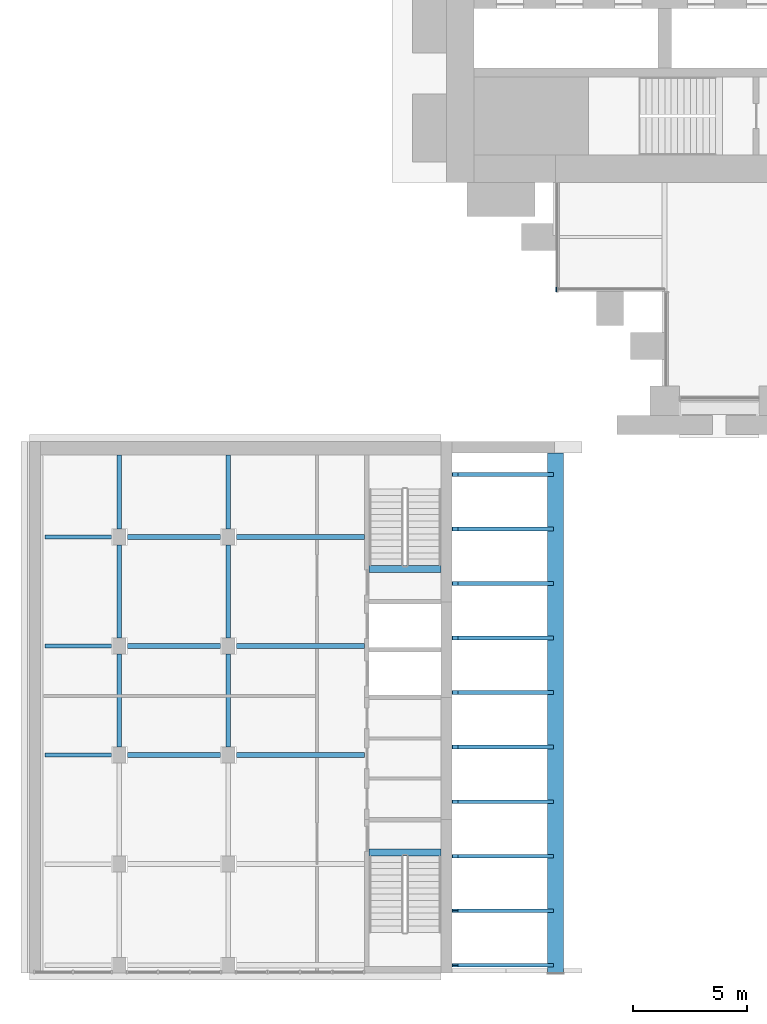
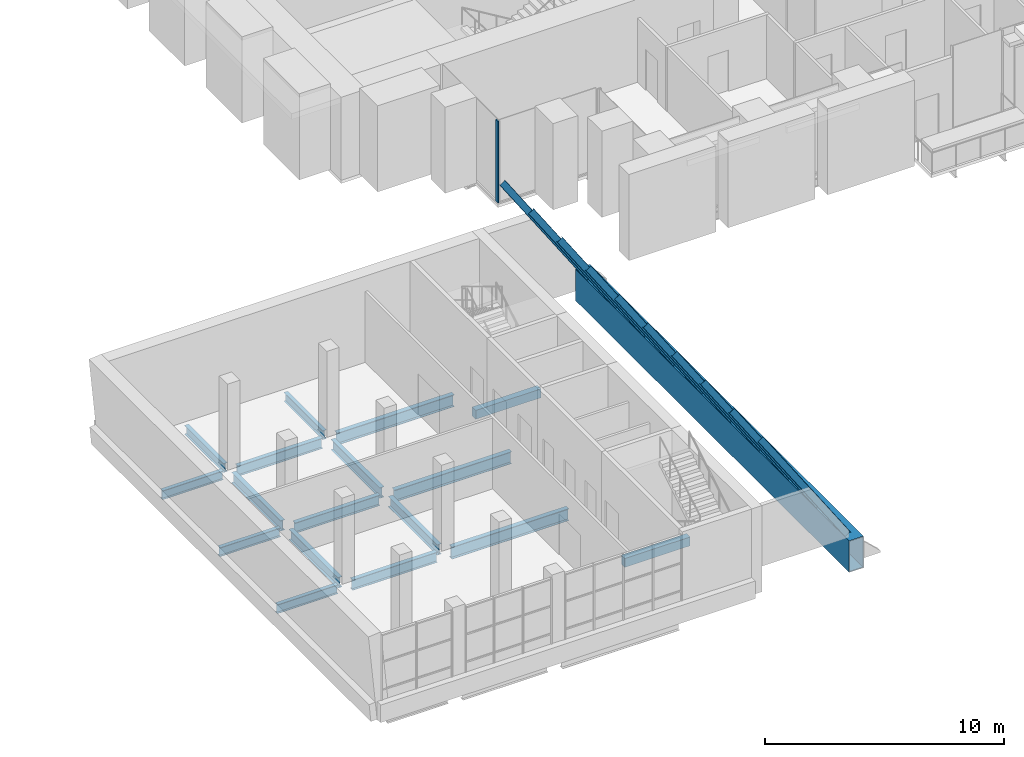
# One storey, part 4 of 32: 28 beams, 1 member, 1 element without a shape of its own.
"""IFC4 building model written with IfcOpenShell, lengths in metres."""

from ifc_helpers import new_model, si_unit, direction, frame, origin, origin_2d, place, context, subcontext, project, spatial, rectangle, hollow_rectangle, i_section, extrude, material, material_profile, profile_set, type_object, element, aggregate, save


model = new_model("IFC4")

# Units and contexts
model_context = context("Model", 3, precision=1e-05, world=origin(), true_north=direction((0.0, 1.0)))
body_context = subcontext(model_context, "Body", "Model", "MODEL_VIEW")
ifc_project = project(units=[si_unit("LENGTHUNIT", "METRE"), si_unit("AREAUNIT", "SQUARE_METRE"), si_unit("VOLUMEUNIT", "CUBIC_METRE"), si_unit("PLANEANGLEUNIT", "RADIAN"), si_unit("MASSUNIT", "GRAM", prefix="KILO")], contexts=[model_context])

# Site, building, storey
site_placement = place(None, origin())
site = spatial("IfcSite", under=ifc_project, at=site_placement, CompositionType="ELEMENT")
building_placement = place(site_placement, origin())
building = spatial("IfcBuilding", under=site, at=building_placement, Name="Baori Bourse Tower", CompositionType="ELEMENT")
storey_placement = place(building_placement, frame((0.0, 0.0, 21.39990234375)))
storey = spatial("IfcBuildingStorey", under=building, at=storey_placement, Name="L03", CompositionType="ELEMENT", Elevation=21.39990234375)

# Curtain wall, member
ifc_material_1 = material(Name="Pale anodised aluminium", Category="aluminium")
curtain_wall_type = type_object("IfcCurtainWallType", Name="CW2 Curtain wall", PredefinedType="NOTDEFINED", material=ifc_material_1)
curtain_wall_placement = place(storey_placement, origin())
curtain_wall = element("IfcCurtainWall", 1, at=curtain_wall_placement, inside=storey, type_object=curtain_wall_type, Name="Curtain wall CW2 L03 11", PredefinedType="NOTDEFINED")
ifc_material_2 = material(Name="Pale anodised aluminium", Category="aluminium")
ifc_material_profile_1 = material_profile(ifc_material_2, rectangle(XDim=0.179931640625, YDim=0.054931640625, at=origin_2d()), Name="Mullion 55x180")
ifc_profile_set_1 = profile_set([ifc_material_profile_1], Name="Pale anodised aluminium")
member_type = type_object("IfcMemberType", Name="CW2 Curtain wall mullion", PredefinedType="MULLION", material=ifc_profile_set_1)
member_placement = place(storey_placement, frame((4.827392578125, 4.889892578125, 0.070068359375), z_axis=(0.0, 0.0, 1.0), x_axis=(0.0, 1.0, 0.0)))
member = element("IfcMember", 2, at=member_placement, type_object=member_type, Name="Curtain wall CW2 mullion", PredefinedType="MULLION", context=body_context, shape_type="SweptSolid", body=[
    extrude(rectangle(XDim=0.179931640625, YDim=0.054931640625, at=origin_2d()), origin(), (0.0, 0.0, 1.0), 4.169921875),
])
aggregate(curtain_wall, [member])

# Beams
ifc_material_3 = material(Name="Steel A572 Gr 50", Category="steel")
ifc_material_profile_2 = material_profile(ifc_material_3, hollow_rectangle(XDim=0.699951171875, YDim=1.60009765625, WallThickness=0.030029296875, at=origin_2d()), Name="BOX 1600x700x30")
ifc_profile_set_2 = profile_set([ifc_material_profile_2], Name="Steel A572 Gr 50")
beam_type_1 = type_object("IfcBeamType", Name="Hall box girder 1600x700", PredefinedType="BEAM", material=ifc_profile_set_2)
beam_1_placement = place(storey_placement, frame((4.800048828125, -25.199951171875, 0.326904296875), z_axis=(0.0, 1.0, 0.0), x_axis=(-1.0, 0.0, 0.0)))
element("IfcBeam", 3, at=beam_1_placement, inside=storey, type_object=beam_type_1, Name="wing/L03/girder/001", PredefinedType="BEAM", context=body_context, shape_type="SweptSolid", body=[
    extrude(hollow_rectangle(XDim=0.699951171875, YDim=1.60009765625, WallThickness=0.030029296875, at=origin_2d()), origin(), (0.0, 0.0, 1.0), 22.89990234375),
])
ifc_material_4 = material(Name="Concrete f'c 40 MPa", Category="concrete")
ifc_material_profile_3 = material_profile(ifc_material_4, rectangle(XDim=0.300048828125, YDim=0.449951171875, at=origin_2d()), Name="Stair trimmer beam 300x450")
ifc_profile_set_3 = profile_set([ifc_material_profile_3], Name="Concrete f'c 40 MPa")
beam_type_2 = type_object("IfcBeamType", Name="Stair trimmer beam 300x450", PredefinedType="BEAM", material=ifc_profile_set_3)
for number, where, z_axis, x_axis, name in (
    (4, (-0.25, -7.409912109375, -0.385009765625), (-1.0, 0.0, 0.0), (0.0, -1.0, 0.0), "wing/L03/Wtrimmer/001"),
    (5, (-3.39990234375, -19.889892578125, -0.385009765625), (1.0, 0.0, 0.0), (0.0, 1.0, 0.0), "wing/L03/Wtrimmer/002"),
):
    element("IfcBeam", number, at=place(storey_placement, frame(where, z_axis=z_axis, x_axis=x_axis)), inside=storey, type_object=beam_type_2, Name=name, PredefinedType="BEAM", context=body_context, shape_type="SweptSolid", body=[
        extrude(rectangle(XDim=0.300048828125, YDim=0.449951171875, at=origin_2d()), origin(), (0.0, 0.0, 1.0), 3.14990234375),
    ])
ifc_material_5 = material(Name="Steel A992 Gr 50", Category="steel")
ifc_material_profile_4 = material_profile(ifc_material_5, i_section(OverallWidth=0.164794921875, OverallDepth=0.309814453125, WebThickness=0.005859375, FlangeThickness=0.009765625, at=origin_2d()), Name="W12x26")
ifc_profile_set_4 = profile_set([ifc_material_profile_4], Name="Steel A992 Gr 50")
beam_type_3 = type_object("IfcBeamType", Name="Wing beam W12x26", PredefinedType="BEAM", material=ifc_profile_set_4)
for number, where, z_axis, x_axis, name in (
    (6, (0.379150390625, -24.85009765625, 7.534423828125), (0.553370739952, 0.0, -0.832935065995), (0.0, 1.0, 0.0), "wing/L03/purlin/001"),
    (7, (0.379150390625, -22.449951171875, 7.534423828125), (0.553370739952, 0.0, -0.832935065995), (0.0, 1.0, 0.0), "wing/L03/purlin/002"),
    (8, (0.379150390625, -20.050048828125, 7.534423828125), (0.553370739952, 0.0, -0.832935065995), (0.0, 1.0, 0.0), "wing/L03/purlin/003"),
    (9, (0.379150390625, -17.64990234375, 7.534423828125), (0.553370739952, 0.0, -0.832935065995), (0.0, 1.0, 0.0), "wing/L03/purlin/004"),
    (10, (0.379150390625, -15.25, 7.534423828125), (0.553370739952, 0.0, -0.832935065995), (0.0, 1.0, 0.0), "wing/L03/purlin/005"),
    (11, (0.379150390625, -12.85009765625, 7.534423828125), (0.553370739952, 0.0, -0.832935065995), (0.0, 1.0, 0.0), "wing/L03/purlin/006"),
    (12, (0.379150390625, -10.449951171875, 7.534423828125), (0.553370739952, 0.0, -0.832935065995), (0.0, 1.0, 0.0), "wing/L03/purlin/007"),
    (13, (0.379150390625, -8.050048828125, 7.534423828125), (0.553370739952, 0.0, -0.832935065995), (0.0, 1.0, 0.0), "wing/L03/purlin/008"),
    (14, (0.379150390625, -5.64990234375, 7.534423828125), (0.553370739952, 0.0, -0.832935065995), (0.0, 1.0, 0.0), "wing/L03/purlin/009"),
    (15, (0.379150390625, -3.25, 7.534423828125), (0.553370739952, 0.0, -0.832935065995), (0.0, 1.0, 0.0), "wing/L03/purlin/010"),
):
    element("IfcBeam", number, at=place(storey_placement, frame(where, z_axis=z_axis, x_axis=x_axis)), inside=storey, type_object=beam_type_3, Name=name, PredefinedType="BEAM", context=body_context, shape_type="SweptSolid", body=[
        extrude(i_section(OverallWidth=0.164794921875, OverallDepth=0.309814453125, WebThickness=0.005859375, FlangeThickness=0.009765625, at=origin_2d()), origin(), (0.0, 0.0, 1.0), 7.58984375),
    ])
ifc_material_6 = material(Name="Steel A992 Gr 50", Category="steel")
ifc_material_profile_5 = material_profile(ifc_material_6, i_section(OverallWidth=0.1904296875, OverallDepth=0.457275390625, WebThickness=0.009033203125, FlangeThickness=0.014404296875, at=origin_2d()), Name="W18x50")
ifc_profile_set_5 = profile_set([ifc_material_profile_5], Name="Steel A992 Gr 50")
beam_type_4 = type_object("IfcBeamType", Name="Wing beam W18x50", PredefinedType="BEAM", material=ifc_profile_set_5)
for number, where, z_axis, x_axis, name in (
    (16, (-17.6767578125, -15.60009765625, -0.388427734375), (1.0, 0.0, 0.0), (0.0, 1.0, 0.0), "wing/L03/Wbeam/007"),
    (17, (-17.6767578125, -10.800048828125, -0.388427734375), (1.0, 0.0, 0.0), (0.0, 1.0, 0.0), "wing/L03/Wbeam/010"),
    (18, (-17.6767578125, -6.0, -0.388427734375), (1.0, 0.0, 0.0), (0.0, 1.0, 0.0), "wing/L03/Wbeam/013"),
):
    element("IfcBeam", number, at=place(storey_placement, frame(where, z_axis=z_axis, x_axis=x_axis)), inside=storey, type_object=beam_type_4, Name=name, PredefinedType="BEAM", context=body_context, shape_type="SweptSolid", body=[
        extrude(i_section(OverallWidth=0.1904296875, OverallDepth=0.457275390625, WebThickness=0.009033203125, FlangeThickness=0.014404296875, at=origin_2d()), origin(), (0.0, 0.0, 1.0), 2.9267578125),
    ])
for number, where, z_axis, x_axis, name in (
    (19, (-14.39990234375, -5.64990234375, -0.388427734375), (0.0, 1.0, 0.0), (-1.0, 0.0, 0.0), "wing/L03/Wbeamy/005"),
    (20, (-9.60009765625, -5.64990234375, -0.388427734375), (0.0, 1.0, 0.0), (-1.0, 0.0, 0.0), "wing/L03/Wbeamy/010"),
):
    element("IfcBeam", number, at=place(storey_placement, frame(where, z_axis=z_axis, x_axis=x_axis)), inside=storey, type_object=beam_type_4, Name=name, PredefinedType="BEAM", context=body_context, shape_type="SweptSolid", body=[
        extrude(i_section(OverallWidth=0.1904296875, OverallDepth=0.457275390625, WebThickness=0.009033203125, FlangeThickness=0.014404296875, at=origin_2d()), origin(), (0.0, 0.0, 1.0), 3.25),
    ])
ifc_material_7 = material(Name="Steel A992 Gr 50", Category="steel")
ifc_material_profile_6 = material_profile(ifc_material_7, i_section(OverallWidth=0.209228515625, OverallDepth=0.533447265625, WebThickness=0.01025390625, FlangeThickness=0.015625, at=origin_2d()), Name="W21x62")
ifc_profile_set_6 = profile_set([ifc_material_profile_6], Name="Steel A992 Gr 50")
beam_type_5 = type_object("IfcBeamType", Name="Wing beam W21x62", PredefinedType="BEAM", material=ifc_profile_set_6)
for number, where, z_axis, x_axis, name in (
    (21, (-14.050048828125, -15.60009765625, -0.426513671875), (1.0, 0.0, 0.0), (0.0, 1.0, 0.0), "wing/L03/Wbeam/008"),
    (22, (-14.050048828125, -10.800048828125, -0.426513671875), (1.0, 0.0, 0.0), (0.0, 1.0, 0.0), "wing/L03/Wbeam/011"),
    (23, (-14.050048828125, -6.0, -0.426513671875), (1.0, 0.0, 0.0), (0.0, 1.0, 0.0), "wing/L03/Wbeam/014"),
    (24, (-14.39990234375, -15.25, -0.426513671875), (0.0, 1.0, 0.0), (-1.0, 0.0, 0.0), "wing/L03/Wbeamy/003"),
):
    element("IfcBeam", number, at=place(storey_placement, frame(where, z_axis=z_axis, x_axis=x_axis)), inside=storey, type_object=beam_type_5, Name=name, PredefinedType="BEAM", context=body_context, shape_type="SweptSolid", body=[
        extrude(i_section(OverallWidth=0.209228515625, OverallDepth=0.533447265625, WebThickness=0.01025390625, FlangeThickness=0.015625, at=origin_2d()), origin(), (0.0, 0.0, 1.0), 4.10009765625),
    ])
beam_2_placement = place(storey_placement, frame((-14.39990234375, -10.449951171875, -0.426513671875), z_axis=(0.0, 1.0, 0.0), x_axis=(-1.0, 0.0, 0.0)))
element("IfcBeam", 25, at=beam_2_placement, inside=storey, type_object=beam_type_5, Name="wing/L03/Wbeamy/004", PredefinedType="BEAM", context=body_context, shape_type="SweptSolid", body=[
    extrude(i_section(OverallWidth=0.209228515625, OverallDepth=0.533447265625, WebThickness=0.01025390625, FlangeThickness=0.015625, at=origin_2d()), origin(), (0.0, 0.0, 1.0), 4.099853515625),
])
beam_3_placement = place(storey_placement, frame((-9.60009765625, -15.25, -0.426513671875), z_axis=(0.0, 1.0, 0.0), x_axis=(-1.0, 0.0, 0.0)))
element("IfcBeam", 26, at=beam_3_placement, inside=storey, type_object=beam_type_5, Name="wing/L03/Wbeamy/008", PredefinedType="BEAM", context=body_context, shape_type="SweptSolid", body=[
    extrude(i_section(OverallWidth=0.209228515625, OverallDepth=0.533447265625, WebThickness=0.01025390625, FlangeThickness=0.015625, at=origin_2d()), origin(), (0.0, 0.0, 1.0), 4.10009765625),
])
beam_4_placement = place(storey_placement, frame((-9.60009765625, -10.449951171875, -0.426513671875), z_axis=(0.0, 1.0, 0.0), x_axis=(-1.0, 0.0, 0.0)))
element("IfcBeam", 27, at=beam_4_placement, inside=storey, type_object=beam_type_5, Name="wing/L03/Wbeamy/009", PredefinedType="BEAM", context=body_context, shape_type="SweptSolid", body=[
    extrude(i_section(OverallWidth=0.209228515625, OverallDepth=0.533447265625, WebThickness=0.01025390625, FlangeThickness=0.015625, at=origin_2d()), origin(), (0.0, 0.0, 1.0), 4.099853515625),
])
ifc_material_8 = material(Name="Steel A992 Gr 50", Category="steel")
ifc_material_profile_7 = material_profile(ifc_material_8, i_section(OverallWidth=0.22900390625, OverallDepth=0.612060546875, WebThickness=0.011962890625, FlangeThickness=0.01953125, at=origin_2d()), Name="W24x84")
ifc_profile_set_7 = profile_set([ifc_material_profile_7], Name="Steel A992 Gr 50")
beam_type_6 = type_object("IfcBeamType", Name="Wing beam W24x84", PredefinedType="BEAM", material=ifc_profile_set_7)
for number, where, z_axis, x_axis, name in (
    (28, (-9.25, -15.60009765625, -0.466064453125), (1.0, 0.0, 0.0), (0.0, 1.0, 0.0), "wing/L03/Wbeam/009"),
    (29, (-9.25, -10.800048828125, -0.466064453125), (1.0, 0.0, 0.0), (0.0, 1.0, 0.0), "wing/L03/Wbeam/012"),
    (30, (-9.25, -6.0, -0.466064453125), (1.0, 0.0, 0.0), (0.0, 1.0, 0.0), "wing/L03/Wbeam/015"),
):
    element("IfcBeam", number, at=place(storey_placement, frame(where, z_axis=z_axis, x_axis=x_axis)), inside=storey, type_object=beam_type_6, Name=name, PredefinedType="BEAM", context=body_context, shape_type="SweptSolid", body=[
        extrude(i_section(OverallWidth=0.22900390625, OverallDepth=0.612060546875, WebThickness=0.011962890625, FlangeThickness=0.01953125, at=origin_2d()), origin(), (0.0, 0.0, 1.0), 5.64990234375),
    ])

save(model, "model.ifc")
